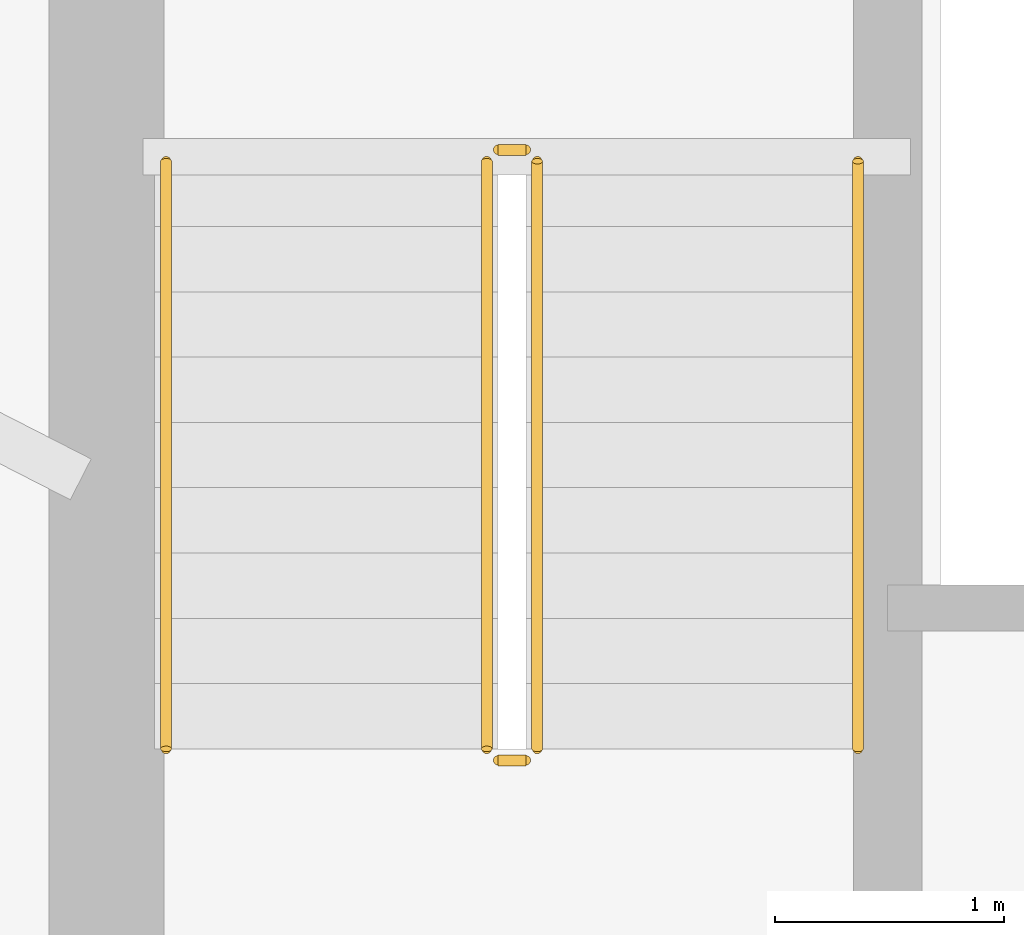
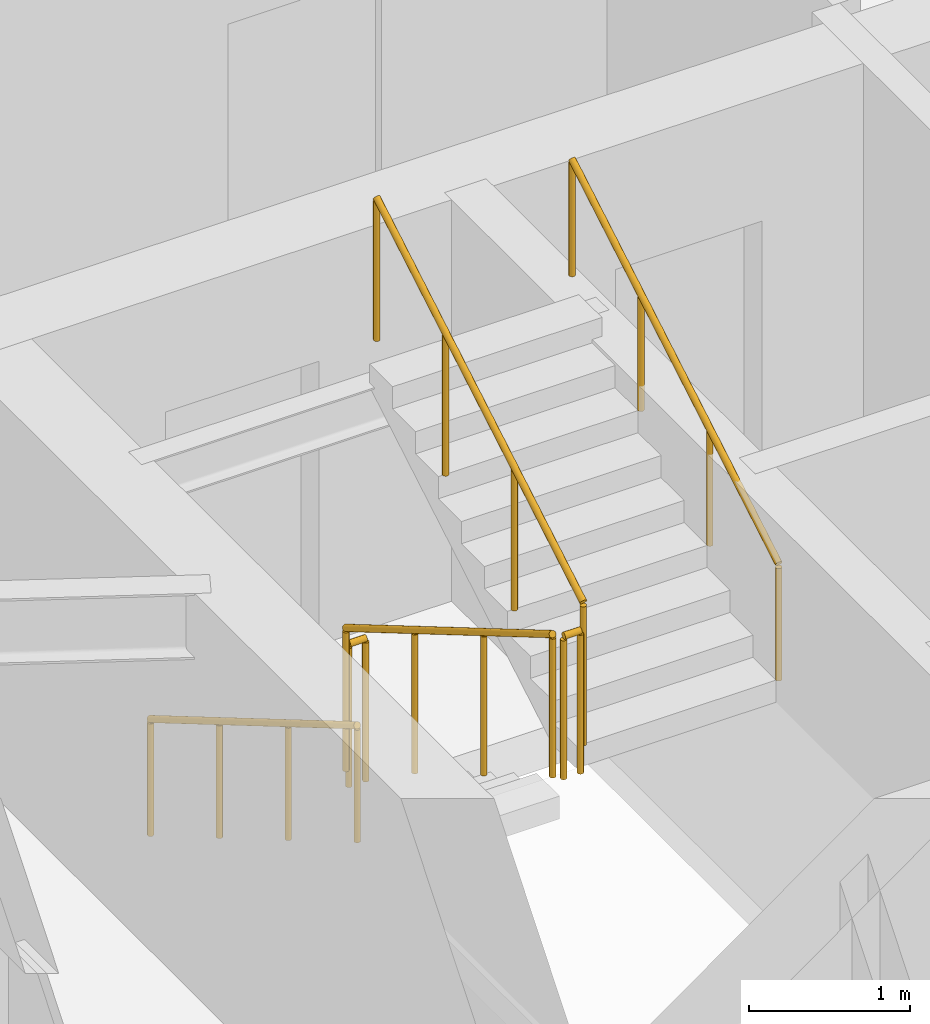
# One storey, part 17 of 18: 6 railings.
"""IFC4 building model written with IfcOpenShell, lengths in metres."""

from ifc_helpers import new_model, si_unit, direction, frame, origin, origin_2d, place, context, subcontext, project, spatial, circle, extrude, material, type_object, element, save


model = new_model("IFC4")

# Units and contexts
model_context = context("Model", 3, precision=1e-05, world=origin(), true_north=direction((0.0, 1.0)))
body_context = subcontext(model_context, "Body", "Model", "MODEL_VIEW")
ifc_project = project(units=[si_unit("LENGTHUNIT", "METRE"), si_unit("AREAUNIT", "SQUARE_METRE"), si_unit("VOLUMEUNIT", "CUBIC_METRE"), si_unit("PLANEANGLEUNIT", "RADIAN"), si_unit("MASSUNIT", "GRAM", prefix="KILO")], contexts=[model_context])

# Site, building, storey
site_placement = place(None, origin())
site = spatial("IfcSite", under=ifc_project, at=site_placement, CompositionType="ELEMENT")
building_placement = place(site_placement, origin())
building = spatial("IfcBuilding", under=site, at=building_placement, Name="Qobustan Lattice House", CompositionType="ELEMENT")
storey_placement = place(building_placement, frame((0.0, 0.0, 141.050048828125)))
storey = spatial("IfcBuildingStorey", under=building, at=storey_placement, Name="L39", CompositionType="ELEMENT", Elevation=141.050048828125)

# Railings
ifc_material_1 = material(Name="Brushed stainless steel handrail", Category="steel")
railing_type_1 = type_object("IfcRailingType", Name="RAL-HR-920", PredefinedType="HANDRAIL", material=ifc_material_1)
railing_1_placement = place(storey_placement, frame((-18.199951171875, 3.5, 0.16748046875)))
element("IfcRailing", 1, at=railing_1_placement, inside=storey, type_object=railing_type_1, Name="L39 ST-W1 stair handrail 1", PredefinedType="HANDRAIL", context=body_context, shape_type="SweptSolid", body=[
    extrude(circle(Radius=0.02392578125, at=origin_2d()), frame((0.0, 0.0, 0.8759765625), z_axis=(0.0, -0.862113467892, 0.50671527358), x_axis=(1.0, 0.0, 0.0)), (0.0, 0.0, 1.0), 2.97509765625),
    extrude(circle(Radius=0.02099609375, at=origin_2d()), origin(), (0.0, 0.0, 1.0), 0.851806640625),
    extrude(circle(Radius=0.02099609375, at=origin_2d()), frame((0.0, -0.85498046875, 0.50244140625)), (0.0, 0.0, 1.0), 0.851806640625),
    extrude(circle(Radius=0.02099609375, at=origin_2d()), frame((0.0, -1.7099609375, 1.005126953125)), (0.0, 0.0, 1.0), 0.851806640625),
    extrude(circle(Radius=0.02099609375, at=origin_2d()), frame((0.0, -2.56494140625, 1.507568359375)), (0.0, 0.0, 1.0), 0.851806640625),
])
railing_2_placement = place(storey_placement, frame((-15.179931640625, 0.93505859375, 1.842529296875)))
element("IfcRailing", 2, at=railing_2_placement, inside=storey, type_object=railing_type_1, Name="L39 ST-W1 stair handrail 2", PredefinedType="HANDRAIL", context=body_context, shape_type="SweptSolid", body=[
    extrude(circle(Radius=0.02392578125, at=origin_2d()), frame((0.0, 0.0, 0.8759765625), z_axis=(0.0, 0.862149314443, 0.506654280161), x_axis=(-1.0, 0.0, 0.0)), (0.0, 0.0, 1.0), 2.97509765625),
    extrude(circle(Radius=0.02099609375, at=origin_2d()), origin(), (0.0, 0.0, 1.0), 0.851806640625),
    extrude(circle(Radius=0.02099609375, at=origin_2d()), frame((0.0, 0.85498046875, 0.50244140625)), (0.0, 0.0, 1.0), 0.851806640625),
    extrude(circle(Radius=0.02099609375, at=origin_2d()), frame((0.0, 1.7099609375, 1.0048828125)), (0.0, 0.0, 1.0), 0.851806640625),
    extrude(circle(Radius=0.02099609375, at=origin_2d()), frame((0.0, 2.56494140625, 1.50732421875)), (0.0, 0.0, 1.0), 0.851806640625),
])
ifc_material_2 = material(Name="Painted galvanized steel guardrail", Category="steel")
railing_type_2 = type_object("IfcRailingType", Name="RAL-STG-1150", PredefinedType="GUARDRAIL", material=ifc_material_2)
railing_3_placement = place(storey_placement, frame((-16.800048828125, 3.5, 0.16748046875)))
element("IfcRailing", 3, at=railing_3_placement, inside=storey, type_object=railing_type_2, Name="L39 ST-W1 stair guard 1", PredefinedType="GUARDRAIL", context=body_context, shape_type="SweptSolid", body=[
    extrude(circle(Radius=0.02392578125, at=origin_2d()), frame((0.0, 0.0, 1.076171875), z_axis=(0.0, -0.862113467892, 0.50671527358), x_axis=(1.0, 0.0, 0.0)), (0.0, 0.0, 1.0), 2.97509765625),
    extrude(circle(Radius=0.02099609375, at=origin_2d()), origin(), (0.0, 0.0, 1.0), 1.052001953125),
    extrude(circle(Radius=0.02099609375, at=origin_2d()), frame((0.0, -0.85498046875, 0.50244140625)), (0.0, 0.0, 1.0), 1.052001953125),
    extrude(circle(Radius=0.02099609375, at=origin_2d()), frame((0.0, -1.7099609375, 1.005126953125)), (0.0, 0.0, 1.0), 1.052001953125),
    extrude(circle(Radius=0.02099609375, at=origin_2d()), frame((0.0, -2.56494140625, 1.507568359375)), (0.0, 0.0, 1.0), 1.052001953125),
])
railing_4_placement = place(storey_placement, frame((-16.75, 0.885009765625, 1.675048828125)))
element("IfcRailing", 4, at=railing_4_placement, inside=storey, type_object=railing_type_2, Name="L39 ST-W1 stair guard 2", PredefinedType="GUARDRAIL", context=body_context, shape_type="SweptSolid", body=[
    extrude(circle(Radius=0.02392578125, at=origin_2d()), frame((0.0, 0.0, 1.076171875), z_axis=(1.0, 0.0, 0.0), x_axis=(0.0, 1.0, 0.0)), (0.0, 0.0, 1.0), 0.1201171875),
    extrude(circle(Radius=0.02099609375, at=origin_2d()), origin(), (0.0, 0.0, 1.0), 1.052001953125),
    extrude(circle(Radius=0.02099609375, at=origin_2d()), frame((0.1201171875, 0.0, 0.0)), (0.0, 0.0, 1.0), 1.052001953125),
])
railing_5_placement = place(storey_placement, frame((-16.580078125, 0.93505859375, 1.842529296875)))
element("IfcRailing", 5, at=railing_5_placement, inside=storey, type_object=railing_type_2, Name="L39 ST-W1 stair guard 3", PredefinedType="GUARDRAIL", context=body_context, shape_type="SweptSolid", body=[
    extrude(circle(Radius=0.02392578125, at=origin_2d()), frame((0.0, 0.0, 1.076171875), z_axis=(0.0, 0.862149314443, 0.506654280161), x_axis=(-1.0, 0.0, 0.0)), (0.0, 0.0, 1.0), 2.97509765625),
    extrude(circle(Radius=0.02099609375, at=origin_2d()), origin(), (0.0, 0.0, 1.0), 1.052001953125),
    extrude(circle(Radius=0.02099609375, at=origin_2d()), frame((0.0, 0.85498046875, 0.50244140625)), (0.0, 0.0, 1.0), 1.052001953125),
    extrude(circle(Radius=0.02099609375, at=origin_2d()), frame((0.0, 1.7099609375, 1.0048828125)), (0.0, 0.0, 1.0), 1.052001953125),
    extrude(circle(Radius=0.02099609375, at=origin_2d()), frame((0.0, 2.56494140625, 1.50732421875)), (0.0, 0.0, 1.0), 1.052001953125),
])
railing_6_placement = place(storey_placement, frame((-16.75, 3.550048828125, 0.0)))
element("IfcRailing", 6, at=railing_6_placement, inside=storey, type_object=railing_type_2, Name="L39 ST-W1 stair guard 4", PredefinedType="GUARDRAIL", context=body_context, shape_type="SweptSolid", body=[
    extrude(circle(Radius=0.02392578125, at=origin_2d()), frame((0.0, 0.0, 1.076171875), z_axis=(1.0, 0.0, 0.0), x_axis=(0.0, 1.0, 0.0)), (0.0, 0.0, 1.0), 0.1201171875),
    extrude(circle(Radius=0.02099609375, at=origin_2d()), origin(), (0.0, 0.0, 1.0), 1.052001953125),
    extrude(circle(Radius=0.02099609375, at=origin_2d()), frame((0.1201171875, 0.0, 0.0)), (0.0, 0.0, 1.0), 1.052001953125),
])

save(model, "model.ifc")
